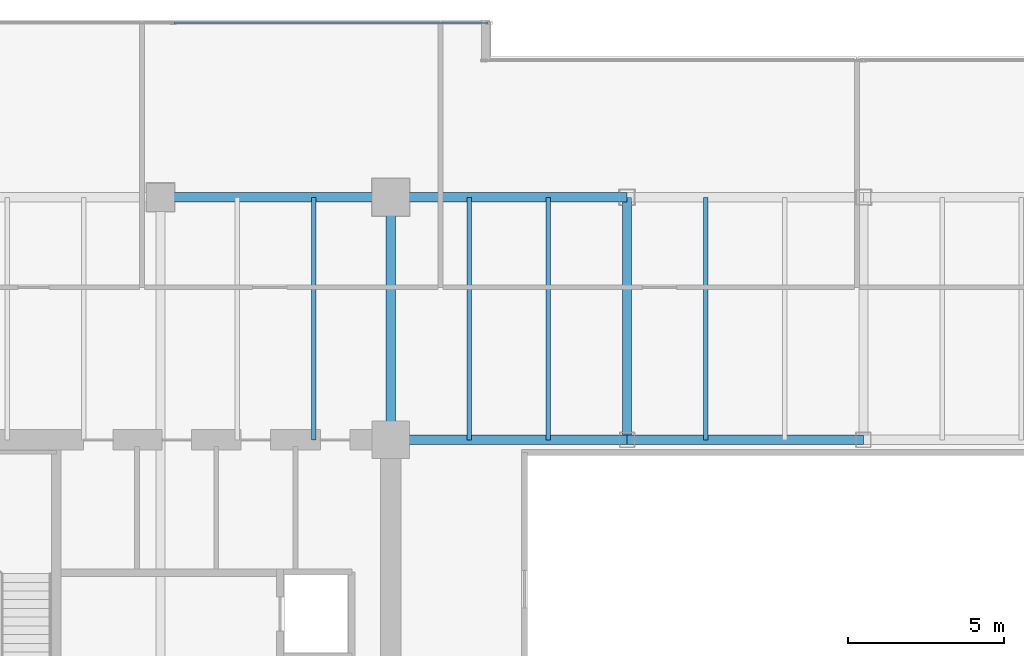
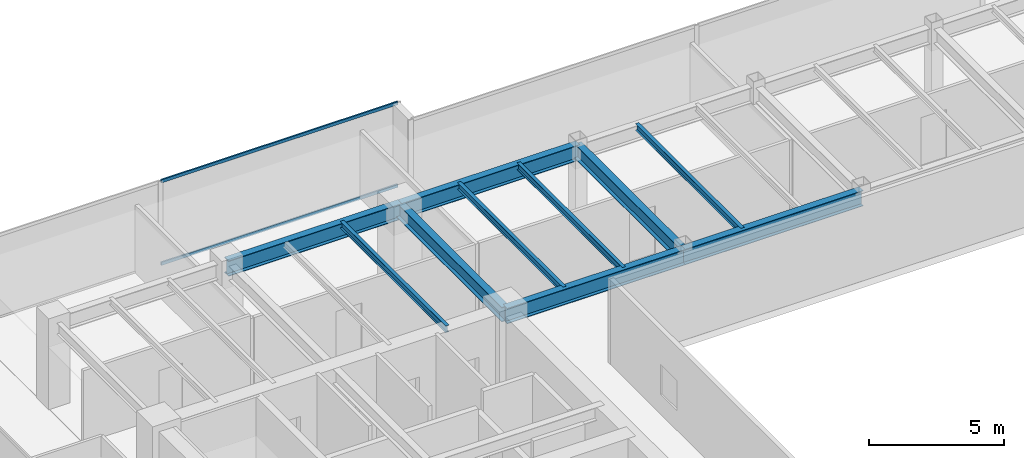
# One storey, part 15 of 33: 10 beams, 2 members, 1 element without a shape of its own.
"""IFC4 building model written with IfcOpenShell, lengths in metres."""

from ifc_helpers import new_model, si_unit, direction, frame, origin, origin_2d, place, context, subcontext, project, spatial, hollow_rectangle, i_section, extrude, source, transform, mapped, material, layer, layer_set, material_profile, profile_set, type_object, type_shapes, element, aggregate, save


model = new_model("IFC4")

# Units and contexts
model_context = context("Model", 3, precision=1e-05, world=origin(), true_north=direction((0.0, 1.0)))
body_context = subcontext(model_context, "Body", "Model", "MODEL_VIEW")
ifc_project = project(units=[si_unit("LENGTHUNIT", "METRE"), si_unit("AREAUNIT", "SQUARE_METRE"), si_unit("VOLUMEUNIT", "CUBIC_METRE"), si_unit("PLANEANGLEUNIT", "RADIAN"), si_unit("MASSUNIT", "GRAM", prefix="KILO")], contexts=[model_context])

# Site, building, storey
site_placement = place(None, origin())
site = spatial("IfcSite", under=ifc_project, at=site_placement, CompositionType="ELEMENT")
building_placement = place(site_placement, origin())
building = spatial("IfcBuilding", under=site, at=building_placement, Name="Haelvirn Gate Laboratories", CompositionType="ELEMENT")
storey_placement = place(building_placement, frame((0.0, 0.0, 137.89990234375)))
storey = spatial("IfcBuildingStorey", under=building, at=storey_placement, Name="L33", CompositionType="ELEMENT", Elevation=137.89990234375)

# Beams
ifc_material_1 = material(Name="Steel SM355", Category="steel")
ifc_material_profile_1 = material_profile(ifc_material_1, i_section(OverallWidth=0.300048828125, OverallDepth=0.64990234375, WebThickness=0.012939453125, FlangeThickness=0.02197265625, at=origin_2d()), Name="H-650x300x13x22")
ifc_profile_set_1 = profile_set([ifc_material_profile_1], Name="Steel SM355")
beam_type_1 = type_object("IfcBeamType", Name="BM-G-650", PredefinedType="BEAM", material=ifc_profile_set_1)
shared_shape_1 = source(origin(), body_context, "Body", "SweptSolid", [
    extrude(i_section(OverallWidth=0.300048828125, OverallDepth=0.64990234375, WebThickness=0.012939453125, FlangeThickness=0.02197265625, at=origin_2d()), origin(), (0.0, 0.0, 1.0), 7.800048828125),
])
type_shapes(beam_type_1, [shared_shape_1])
for number, where, z_axis, x_axis, name in (
    (1, (22.199951171875, 33.800048828125, 3.465087890625), (0.0, 1.0, 0.0), (-1.0, 0.0, 0.0), "L33 Frame Girder X22.2 (33.8-41.6)"),
    (2, (29.800048828125, 33.800048828125, 3.465087890625), (0.0, 1.0, 0.0), (-1.0, 0.0, 0.0), "L33 Frame Girder X29.8 (33.8-41.6)"),
):
    element("IfcBeam", number, at=place(storey_placement, frame(where, z_axis=z_axis, x_axis=x_axis)), inside=storey, type_object=beam_type_1, Name=name, PredefinedType="BEAM", context=body_context, shape_type="MappedRepresentation", body=[
        mapped(shared_shape_1, transform((0.0, 0.0, 0.0), scale=1.0)),
    ])
ifc_material_profile_2 = material_profile(ifc_material_1, i_section(OverallWidth=0.300048828125, OverallDepth=0.699951171875, WebThickness=0.012939453125, FlangeThickness=0.02392578125, at=origin_2d()), Name="H-700x300x13x24")
ifc_profile_set_2 = profile_set([ifc_material_profile_2], Name="Steel SM355")
beam_type_2 = type_object("IfcBeamType", Name="BM-G-700", PredefinedType="BEAM", material=ifc_profile_set_2)
shared_shape_2 = source(origin(), body_context, "Body", "SweptSolid", [
    extrude(i_section(OverallWidth=0.300048828125, OverallDepth=0.699951171875, WebThickness=0.012939453125, FlangeThickness=0.02392578125, at=origin_2d()), origin(), (0.0, 0.0, 1.0), 7.39990234375),
])
beam_1_placement = place(storey_placement, frame((14.800048828125, 41.60009765625, 3.440185546875), z_axis=(1.0, 0.0, 0.0), x_axis=(0.0, 1.0, 0.0)))
element("IfcBeam", 3, at=beam_1_placement, inside=storey, type_object=beam_type_2, Name="L33 Primary Girder Y41.6 (14.8-22.2)", PredefinedType="BEAM", context=body_context, shape_type="MappedRepresentation", body=[
    mapped(shared_shape_2, transform((0.0, 0.0, 0.0), scale=1.0)),
])
shared_shape_3 = source(origin(), body_context, "Body", "SweptSolid", [
    extrude(i_section(OverallWidth=0.300048828125, OverallDepth=0.699951171875, WebThickness=0.012939453125, FlangeThickness=0.02392578125, at=origin_2d()), origin(), (0.0, 0.0, 1.0), 7.60009765625),
])
for number, where, z_axis, x_axis, name in (
    (4, (22.199951171875, 33.800048828125, 3.440185546875), (1.0, 0.0, 0.0), (0.0, 1.0, 0.0), "L33 Primary Girder Y33.8 (22.2-29.8)"),
    (5, (22.199951171875, 41.60009765625, 3.440185546875), (1.0, 0.0, 0.0), (0.0, 1.0, 0.0), "L33 Primary Girder Y41.6 (22.2-29.8)"),
):
    element("IfcBeam", number, at=place(storey_placement, frame(where, z_axis=z_axis, x_axis=x_axis)), inside=storey, type_object=beam_type_2, Name=name, PredefinedType="BEAM", context=body_context, shape_type="MappedRepresentation", body=[
        mapped(shared_shape_3, transform((0.0, 0.0, 0.0), scale=1.0)),
    ])
shared_shape_4 = source(origin(), body_context, "Body", "SweptSolid", [
    extrude(i_section(OverallWidth=0.300048828125, OverallDepth=0.699951171875, WebThickness=0.012939453125, FlangeThickness=0.02392578125, at=origin_2d()), origin(), (0.0, 0.0, 1.0), 7.599853515625),
])
type_shapes(beam_type_2, [shared_shape_2, shared_shape_3, shared_shape_4])
beam_2_placement = place(storey_placement, frame((29.800048828125, 33.800048828125, 3.440185546875), z_axis=(1.0, 0.0, 0.0), x_axis=(0.0, 1.0, 0.0)))
element("IfcBeam", 6, at=beam_2_placement, inside=storey, type_object=beam_type_2, Name="L33 Primary Girder Y33.8 (29.8-37.4)", PredefinedType="BEAM", context=body_context, shape_type="MappedRepresentation", body=[
    mapped(shared_shape_4, transform((0.0, 0.0, 0.0), scale=1.0)),
])
ifc_material_profile_3 = material_profile(ifc_material_1, i_section(OverallWidth=0.14990234375, OverallDepth=0.300048828125, WebThickness=0.006591796875, FlangeThickness=0.009033203125, at=origin_2d()), Name="H-300x150x6.5x9")
ifc_profile_set_3 = profile_set([ifc_material_profile_3], Name="Steel SM355")
beam_type_3 = type_object("IfcBeamType", Name="BM-J-300", PredefinedType="JOIST", material=ifc_profile_set_3)
shared_shape_5 = source(origin(), body_context, "Body", "SweptSolid", [
    extrude(i_section(OverallWidth=0.14990234375, OverallDepth=0.300048828125, WebThickness=0.006591796875, FlangeThickness=0.009033203125, at=origin_2d()), origin(), (0.0, 0.0, 1.0), 7.800048828125),
])
type_shapes(beam_type_3, [shared_shape_5])
for number, where, z_axis, x_axis, name in (
    (7, (19.72998046875, 33.800048828125, 3.64013671875), (0.0, 1.0, 0.0), (-1.0, 0.0, 0.0), "L33 Composite Lab Joist North X19.73"),
    (8, (24.72998046875, 33.800048828125, 3.64013671875), (0.0, 1.0, 0.0), (-1.0, 0.0, 0.0), "L33 Composite Lab Joist North X24.73"),
    (9, (27.27001953125, 33.800048828125, 3.64013671875), (0.0, 1.0, 0.0), (-1.0, 0.0, 0.0), "L33 Composite Lab Joist North X27.27"),
    (10, (32.330078125, 33.800048828125, 3.64013671875), (0.0, 1.0, 0.0), (-1.0, 0.0, 0.0), "L33 Composite Lab Joist North X32.33"),
):
    element("IfcBeam", number, at=place(storey_placement, frame(where, z_axis=z_axis, x_axis=x_axis)), inside=storey, type_object=beam_type_3, Name=name, PredefinedType="JOIST", context=body_context, shape_type="MappedRepresentation", body=[
        mapped(shared_shape_5, transform((0.0, 0.0, 0.0), scale=1.0)),
    ])

# Curtain wall, members
ifc_material_2 = material(Name="Anodised bronze unitised aluminium & triple low-E glass", Category="aluminium")
ifc_layer = layer(ifc_material_2, 0.179931640625, Name="CW-SYS-3")
ifc_layer_set = layer_set([ifc_layer], Name="Anodised bronze unitised aluminium & triple low-E glass")
curtain_wall_type = type_object("IfcCurtainWallType", Name="CW-SYS-3", PredefinedType="NOTDEFINED", material=ifc_layer_set)
curtain_wall_placement = place(storey_placement, origin())
curtain_wall = element("IfcCurtainWall", 11, at=curtain_wall_placement, inside=storey, type_object=curtain_wall_type, Name="L33 Unitised Curtain Wall CW-L33-P0-E14-1", PredefinedType="NOTDEFINED")
ifc_material_3 = material(Name="Extruded aluminium 6063-T6 (anodised bronze)", Category="aluminium")
ifc_material_profile_4 = material_profile(ifc_material_3, hollow_rectangle(XDim=0.06494140625, YDim=0.139892578125, WallThickness=0.00390625, at=origin_2d()), Name="CWT-140x65x4")
ifc_profile_set_4 = profile_set([ifc_material_profile_4], Name="Extruded aluminium 6063-T6 (anodised bronze)")
member_type = type_object("IfcMemberType", Name="CWT-T140", PredefinedType="USERDEFINED", material=ifc_profile_set_4)
shared_shape_6 = source(origin(), body_context, "Body", "SweptSolid", [
    extrude(hollow_rectangle(XDim=0.06494140625, YDim=0.139892578125, WallThickness=0.00390625, at=origin_2d()), origin(), (0.0, 0.0, 1.0), 10.08740234375),
])
type_shapes(member_type, [shared_shape_6])
member_1_placement = place(storey_placement, frame((15.237548828125, 47.199951171875, 0.03271484375), z_axis=(1.0, 0.0, 0.0), x_axis=(0.0, 1.0, 0.0)))
member_1 = element("IfcMember", 12, at=member_1_placement, type_object=member_type, Name="CW3 transom 2.1", ObjectType="TRANSOM", PredefinedType="USERDEFINED", context=body_context, shape_type="MappedRepresentation", body=[
    mapped(shared_shape_6, transform((0.0, 0.0, 0.0), scale=1.0)),
])
member_2_placement = place(storey_placement, frame((15.237548828125, 47.199951171875, 3.757568359375), z_axis=(1.0, 0.0, 0.0), x_axis=(0.0, 1.0, 0.0)))
member_2 = element("IfcMember", 13, at=member_2_placement, type_object=member_type, Name="CW3 transom 2.2", ObjectType="TRANSOM", PredefinedType="USERDEFINED", context=body_context, shape_type="MappedRepresentation", body=[
    mapped(shared_shape_6, transform((0.0, 0.0, 0.0), scale=1.0)),
])
aggregate(curtain_wall, [member_1, member_2])

save(model, "model.ifc")
